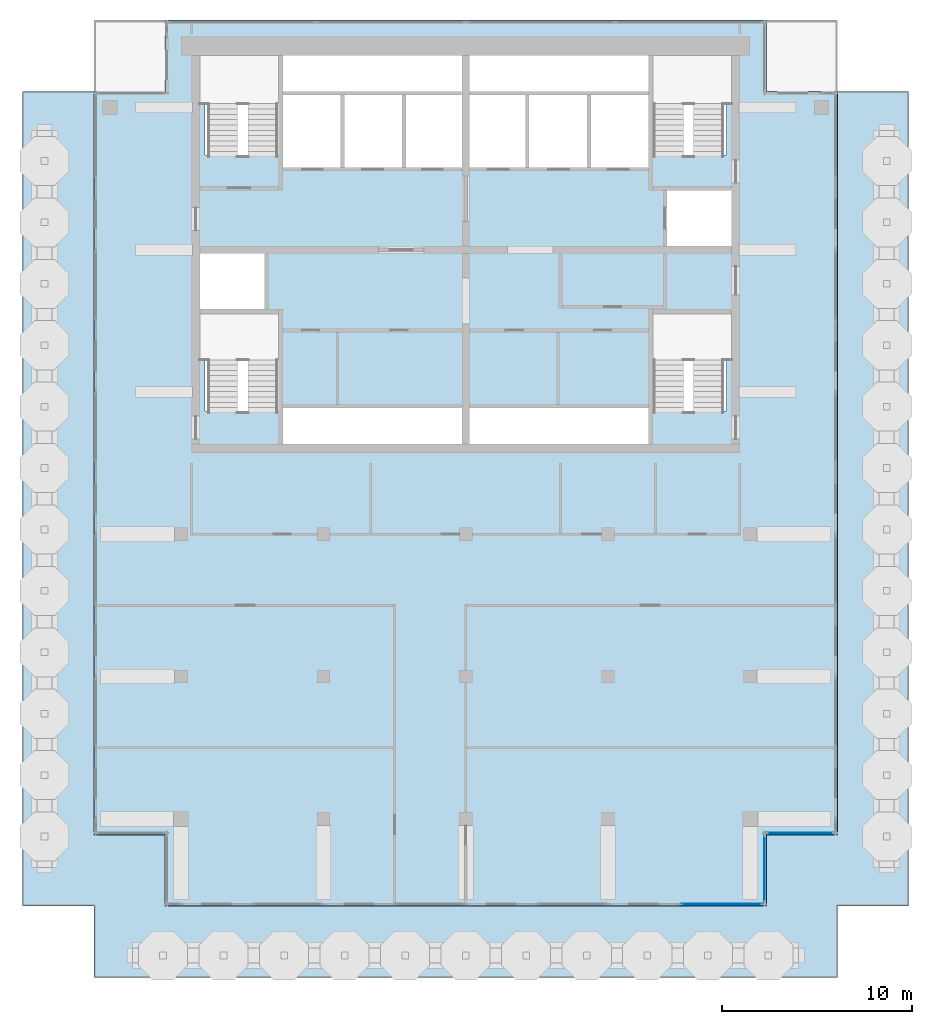
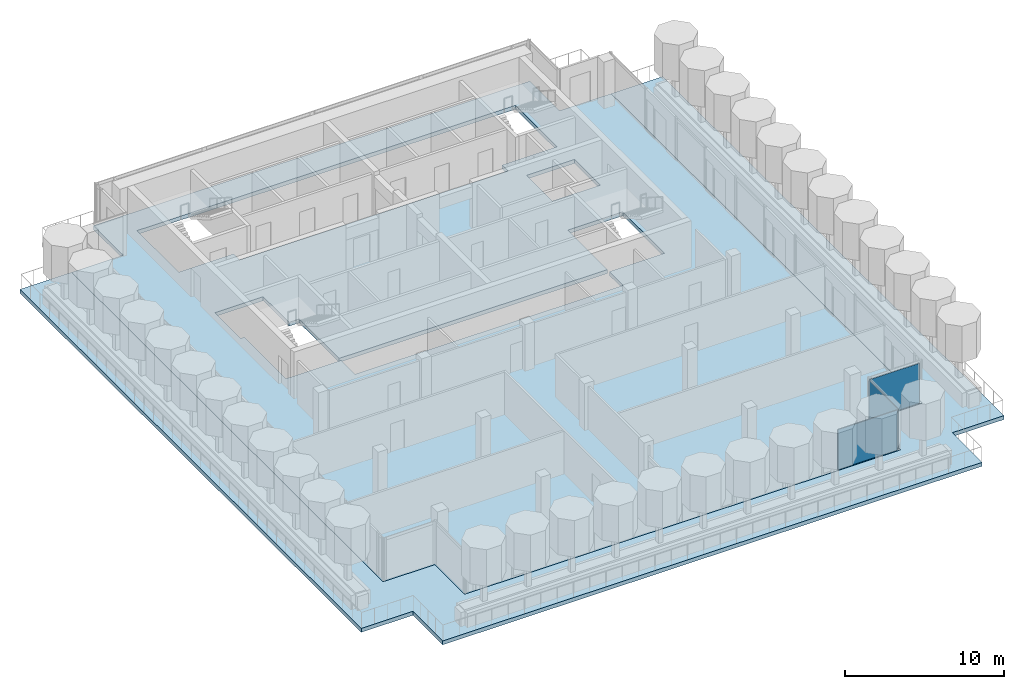
# One storey, part 6 of 15: 3 plates, 2 slabs, 3 elements without a shape of their own.
"""IFC4 building model written with IfcOpenShell, lengths in metres."""

from ifc_helpers import new_model, si_unit, direction, frame, origin, origin_2d, place, context, subcontext, project, spatial, polyline, rectangle, outline, extrude, material, layer, layer_set, type_object, element, aggregate, save


model = new_model("IFC4")

# Units and contexts
model_context = context("Model", 3, precision=1e-05, world=origin(), true_north=direction((0.0, 1.0)))
body_context = subcontext(model_context, "Body", "Model", "MODEL_VIEW")
ifc_project = project(units=[si_unit("LENGTHUNIT", "METRE"), si_unit("AREAUNIT", "SQUARE_METRE"), si_unit("VOLUMEUNIT", "CUBIC_METRE"), si_unit("PLANEANGLEUNIT", "RADIAN"), si_unit("MASSUNIT", "GRAM", prefix="KILO")], contexts=[model_context])

# Site, building, storey
site_placement = place(None, origin())
site = spatial("IfcSite", under=ifc_project, at=site_placement, CompositionType="ELEMENT")
building_placement = place(site_placement, origin())
building = spatial("IfcBuilding", under=site, at=building_placement, Name="Pilkhan Gate Tower", CompositionType="ELEMENT")
storey_placement = place(building_placement, frame((0.0, 0.0, 265.699951171875)))
storey = spatial("IfcBuildingStorey", under=building, at=storey_placement, Name="L69", CompositionType="ELEMENT", Elevation=265.699951171875)

# Slab
ifc_material_1 = material(Name="Concrete C40/50", Category="concrete")
ifc_layer_1 = layer(ifc_material_1, 0.300048828125)
ifc_layer_set_1 = layer_set([ifc_layer_1], Name="Flat plate slab FP300")
slab_type_1 = type_object("IfcSlabType", Name="Flat plate slab FP300", PredefinedType="FLOOR", material=ifc_layer_set_1)
slab_1_placement = place(storey_placement, frame((0.0, 0.0, -0.300048828125)))
element("IfcSlab", 1, at=slab_1_placement, inside=storey, type_object=slab_type_1, Name="Floor slab L69", PredefinedType="FLOOR", context=body_context, shape_type="SweptSolid", body=[
    extrude(outline(polyline([(90.85009765625, 47.89990234375), (59.14990234375, 47.89990234375), (59.14990234375, 51.64990234375), (55.39990234375, 51.64990234375), (55.39990234375, 90.85009765625), (59.14990234375, 90.85009765625), (59.14990234375, 94.60009765625), (90.85009765625, 94.60009765625), (90.85009765625, 90.85009765625), (94.60009765625, 90.85009765625), (94.60009765625, 51.64990234375), (90.85009765625, 51.64990234375), (90.85009765625, 47.89990234375)]), holes=[polyline([(68.5, 86.75), (71.75, 86.75), (75.0, 86.75), (78.25, 86.75), (81.5, 86.75), (84.75, 86.75), (84.75, 87.5), (88.75, 87.5), (88.75, 92.75), (84.75, 92.75), (75.0, 92.75), (65.25, 92.75), (61.25, 92.75), (61.25, 87.5), (65.25, 87.5), (65.25, 86.75), (68.5, 86.75)]), polyline([(84.75, 74.25), (75.0, 74.25), (65.25, 74.25), (65.25, 79.25), (64.5, 79.25), (64.5, 82.5), (61.25, 82.5), (61.0, 82.5), (61.0, 79.25), (61.25, 79.25), (61.25, 74.0), (65.25, 74.0), (65.25, 72.25), (75.0, 72.25), (84.75, 72.25), (84.75, 74.0), (88.75, 74.0), (88.75, 79.25), (84.75, 79.25), (84.75, 74.25)]), polyline([(85.5, 85.75), (85.5, 82.5), (88.75, 82.5), (89.0, 82.5), (89.0, 85.75), (88.75, 85.75), (85.5, 85.75)])]), origin(), (0.0, 0.0, 1.0), 0.300048828125),
])

# Curtain wall, plate
ifc_material_2 = material(Name="Pale anodised aluminium, clear low-iron double glazing", Category="aluminium")
curtain_wall_type = type_object("IfcCurtainWallType", Name="Crown unitised curtain wall CW-C", PredefinedType="USERDEFINED", material=ifc_material_2)
curtain_wall_1_placement = place(storey_placement, origin())
curtain_wall_1 = element("IfcCurtainWall", 2, at=curtain_wall_1_placement, inside=storey, type_object=curtain_wall_type, Name="Crown unitised curtain wall CW-C L69 S", ObjectType="UNITISED CURTAIN WALL", PredefinedType="USERDEFINED")
ifc_material_3 = material(Name="Clear low-iron double glazing", Category="glass")
ifc_layer_2 = layer(ifc_material_3, 0.0439453125)
ifc_layer_set_2 = layer_set([ifc_layer_2], Name="Glass panel CW-C 44")
plate_type = type_object("IfcPlateType", Name="Glass panel CW-C 44", PredefinedType="CURTAIN_PANEL", material=ifc_layer_set_2)
plate_1_placement = place(storey_placement, frame((88.5, 48.0, 0.0), z_axis=(0.0, 0.0, 1.0), x_axis=(1.0, 0.0, 0.0)))
plate_1 = element("IfcPlate", 3, at=plate_1_placement, type_object=plate_type, Name="CW-C panel 1", PredefinedType="CURTAIN_PANEL", context=body_context, shape_type="SweptSolid", body=[
    extrude(rectangle(XDim=4.35009765625, YDim=0.0439453125, at=origin_2d()), origin(), (0.0, 0.0, 1.0), 3.080078125),
])
aggregate(curtain_wall_1, [plate_1])

curtain_wall_2_placement = place(storey_placement, origin())
curtain_wall_2 = element("IfcCurtainWall", 4, at=curtain_wall_2_placement, inside=storey, type_object=curtain_wall_type, Name="Crown unitised curtain wall CW-C L69 E", ObjectType="UNITISED CURTAIN WALL", PredefinedType="USERDEFINED")
plate_2_placement = place(storey_placement, frame((90.75, 49.875, 0.0), z_axis=(0.0, 0.0, 1.0), x_axis=(0.0, 1.0, 0.0)))
plate_2 = element("IfcPlate", 5, at=plate_2_placement, type_object=plate_type, Name="CW-C panel 1", PredefinedType="CURTAIN_PANEL", context=body_context, shape_type="SweptSolid", body=[
    extrude(rectangle(XDim=3.60009765625, YDim=0.0439453125, at=origin_2d()), origin(), (0.0, 0.0, 1.0), 3.080078125),
])
aggregate(curtain_wall_2, [plate_2])

curtain_wall_3_placement = place(storey_placement, origin())
curtain_wall_3 = element("IfcCurtainWall", 6, at=curtain_wall_3_placement, inside=storey, type_object=curtain_wall_type, Name="Crown unitised curtain wall CW-C L69 S", ObjectType="UNITISED CURTAIN WALL", PredefinedType="USERDEFINED")
plate_3_placement = place(storey_placement, frame((92.625, 51.75, 0.0), z_axis=(0.0, 0.0, 1.0), x_axis=(1.0, 0.0, 0.0)))
plate_3 = element("IfcPlate", 7, at=plate_3_placement, type_object=plate_type, Name="CW-C panel 1", PredefinedType="CURTAIN_PANEL", context=body_context, shape_type="SweptSolid", body=[
    extrude(rectangle(XDim=3.60009765625, YDim=0.0439453125, at=origin_2d()), origin(), (0.0, 0.0, 1.0), 3.080078125),
])
aggregate(curtain_wall_3, [plate_3])

# Slab
ifc_material_4 = material(Name="Concrete C60/75", Category="concrete")
ifc_layer_3 = layer(ifc_material_4, 0.300048828125)
ifc_layer_set_3 = layer_set([ifc_layer_3], Name="Terrace slab TS300")
slab_type_2 = type_object("IfcSlabType", Name="Terrace slab TS300", PredefinedType="FLOOR", material=ifc_layer_set_3)
slab_2_placement = place(storey_placement, frame((0.0, 0.0, -0.300048828125)))
element("IfcSlab", 8, at=slab_2_placement, inside=storey, type_object=slab_type_2, Name="Terrace L69", PredefinedType="FLOOR", context=body_context, shape_type="SweptSolid", body=[
    extrude(outline(polyline([(94.60009765625, 44.14990234375), (55.39990234375, 44.14990234375), (55.39990234375, 47.89990234375), (51.64990234375, 47.89990234375), (51.64990234375, 90.85009765625), (55.39990234375, 90.85009765625), (55.39990234375, 51.64990234375), (59.14990234375, 51.64990234375), (59.14990234375, 47.89990234375), (90.85009765625, 47.89990234375), (90.85009765625, 51.64990234375), (94.60009765625, 51.64990234375), (94.60009765625, 90.85009765625), (98.35009765625, 90.85009765625), (98.35009765625, 47.89990234375), (94.60009765625, 47.89990234375), (94.60009765625, 44.14990234375)])), origin(), (0.0, 0.0, 1.0), 0.300048828125),
])

save(model, "model.ifc")
